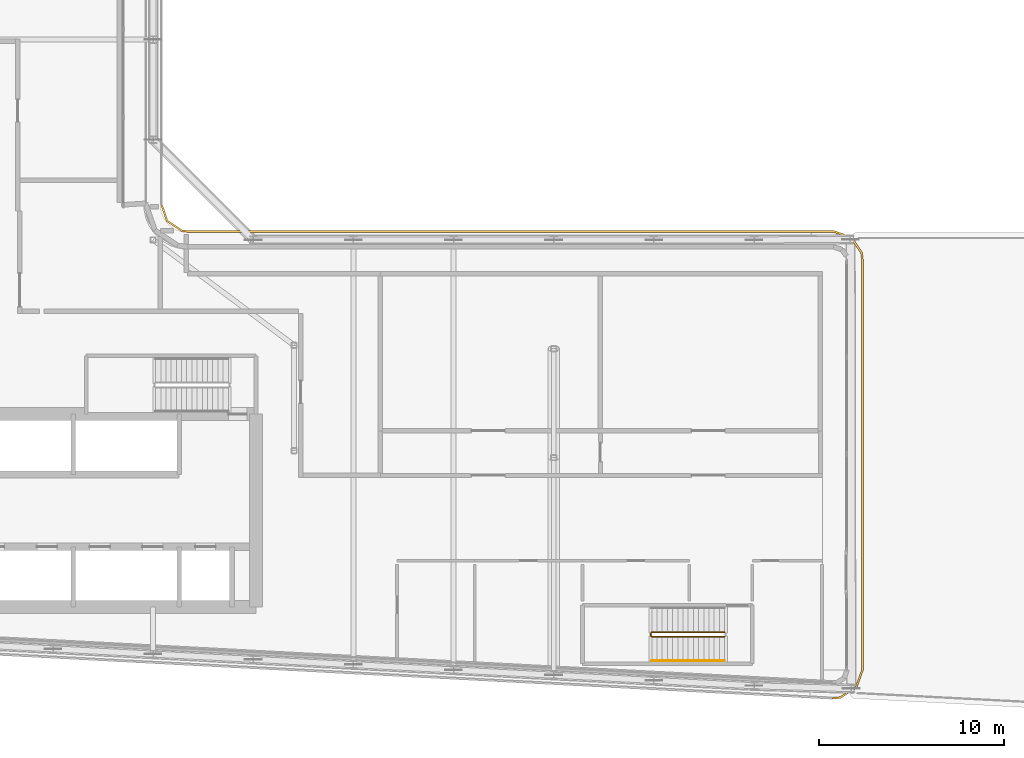
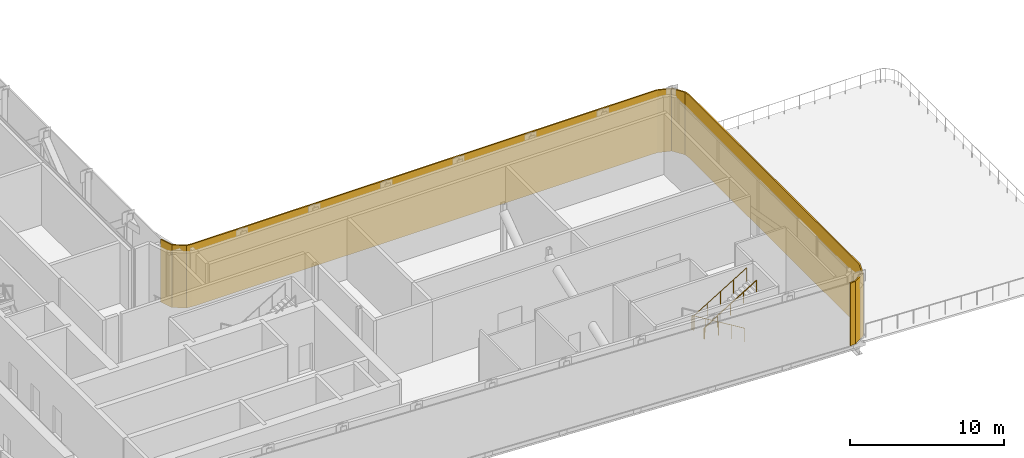
# One storey, part 19 of 23: 2 railings, 1 shading device.
"""IFC4 building model written with IfcOpenShell, lengths in metres."""

from ifc_helpers import new_model, si_unit, direction, frame, origin, origin_2d, place, context, subcontext, project, spatial, polyline, circle, outline, extrude, material, layer, layer_set, type_object, element, save


model = new_model("IFC4")

# Units and contexts
model_context = context("Model", 3, precision=1e-05, world=origin(), true_north=direction((0.0, 1.0)))
body_context = subcontext(model_context, "Body", "Model", "MODEL_VIEW")
ifc_project = project(units=[si_unit("LENGTHUNIT", "METRE"), si_unit("AREAUNIT", "SQUARE_METRE"), si_unit("VOLUMEUNIT", "CUBIC_METRE"), si_unit("PLANEANGLEUNIT", "RADIAN"), si_unit("MASSUNIT", "GRAM", prefix="KILO")], contexts=[model_context])

# Site, building, storey
site_placement = place(None, origin())
site = spatial("IfcSite", under=ifc_project, at=site_placement, CompositionType="ELEMENT")
building_placement = place(site_placement, origin())
building = spatial("IfcBuilding", under=site, at=building_placement, Name="Kheshtan School and Residences Tower", CompositionType="ELEMENT")
storey_placement = place(building_placement, frame((0.0, 0.0, 211.10009765625)))
storey = spatial("IfcBuildingStorey", under=building, at=storey_placement, Name="L49", CompositionType="ELEMENT", Elevation=211.10009765625)

# Shading device
ifc_material_1 = material(Name="Terracotta louvre blades", Category="masonry")
ifc_layer = layer(ifc_material_1, 0.10009765625)
ifc_layer_set = layer_set([ifc_layer], Name="Plant louvre screen")
shading_device_type = type_object("IfcShadingDeviceType", Name="Plant louvre screen", PredefinedType="JALOUSIE", material=ifc_layer_set)
shading_device_placement = place(storey_placement, origin())
element("IfcShadingDevice", 1, at=shading_device_placement, inside=storey, type_object=shading_device_type, Name="Screen L49 4", PredefinedType="JALOUSIE", context=body_context, shape_type="SweptSolid", body=[
    extrude(outline(polyline([(48.0, 47.5), (48.31005859375, 46.5869140625), (49.112060546875, 46.051025390625), (49.5, 46.0), (84.300048828125, 46.0), (85.212890625, 45.68994140625), (85.7490234375, 44.887939453125), (85.800048828125, 44.5), (85.800048828125, 22.43408203125), (85.469970703125, 21.4951171875), (84.6240234375, 20.968994140625), (84.220947265625, 20.93603515625), (84.22900390625, 20.8359375), (84.656005859375, 20.87109375), (85.552978515625, 21.428955078125), (85.89990234375, 22.4169921875), (85.89990234375, 44.507080078125), (85.844970703125, 44.924072265625), (85.277099609375, 45.77392578125), (84.31689453125, 46.10009765625), (49.507080078125, 46.10009765625), (49.14794921875, 46.14697265625), (48.39404296875, 46.65087890625), (48.094970703125, 47.531982421875), (48.0, 47.5)])), origin(), (0.0, 0.0, 1.0), 4.949951171875),
])

# Railings
ifc_material_2 = material(Name="Stainless steel balustrade", Category="steel")
railing_type_1 = type_object("IfcRailingType", Name="Stair guard 1100", PredefinedType="GUARDRAIL", material=ifc_material_2)
railing_1_placement = place(storey_placement, frame((78.409912109375, 24.449951171875, 0.169921875)))
element("IfcRailing", 2, at=railing_1_placement, inside=storey, type_object=railing_type_1, Name="L49 ST5 stair guard 1", PredefinedType="GUARDRAIL", context=body_context, shape_type="SweptSolid", body=[
    extrude(circle(Radius=0.02392578125, at=origin_2d()), frame((0.0, 0.0, 1.076171875), z_axis=(-0.854794262968, 0.0, 0.518967020143), x_axis=(0.0, -1.0, 0.0)), (0.0, 0.0, 1.0), 4.585693359375),
    extrude(circle(Radius=0.02392578125, at=origin_2d()), frame((-3.919921875, 0.0, 3.4560546875), z_axis=(-0.707106781187, -0.707106781187, 0.0), x_axis=(0.707106781187, -0.707106781187, 0.0)), (0.0, 0.0, 1.0), 0.07080078125),
    extrude(circle(Radius=0.02392578125, at=origin_2d()), frame((-3.969970703125, -0.050048828125, 3.4560546875), z_axis=(0.0, -1.0, 0.0), x_axis=(1.0, 0.0, 0.0)), (0.0, 0.0, 1.0), 0.14990234375),
    extrude(circle(Radius=0.02392578125, at=origin_2d()), frame((-3.969970703125, -0.199951171875, 3.4560546875), z_axis=(0.271562723297, -0.271562723297, 0.923313259209), x_axis=(0.707106781187, 0.707106781187, 0.0)), (0.0, 0.0, 1.0), 0.184326171875),
    extrude(circle(Radius=0.02392578125, at=origin_2d()), frame((-3.919921875, -0.25, 3.6259765625), z_axis=(0.854794262968, 0.0, 0.518967020143), x_axis=(0.0, 1.0, 0.0)), (0.0, 0.0, 1.0), 4.585693359375),
    extrude(circle(Radius=0.02099609375, at=origin_2d()), origin(), (0.0, 0.0, 1.0), 1.052001953125),
    extrude(circle(Radius=0.02099609375, at=origin_2d()), frame((-0.97998046875, 0.0, 0.594970703125)), (0.0, 0.0, 1.0), 1.052001953125),
    extrude(circle(Radius=0.02099609375, at=origin_2d()), frame((-1.9599609375, 0.0, 1.18994140625)), (0.0, 0.0, 1.0), 1.052001953125),
    extrude(circle(Radius=0.02099609375, at=origin_2d()), frame((-2.93994140625, 0.0, 1.784912109375)), (0.0, 0.0, 1.0), 1.052001953125),
    extrude(circle(Radius=0.02099609375, at=origin_2d()), frame((-3.919921875, 0.0, 2.3798828125)), (0.0, 0.0, 1.0), 1.052001953125),
    extrude(circle(Radius=0.02099609375, at=origin_2d()), frame((-3.969970703125, -0.050048828125, 2.3798828125)), (0.0, 0.0, 1.0), 1.052001953125),
    extrude(circle(Radius=0.02099609375, at=origin_2d()), frame((-3.969970703125, -0.199951171875, 2.3798828125)), (0.0, 0.0, 1.0), 1.052001953125),
    extrude(circle(Radius=0.02099609375, at=origin_2d()), frame((-3.919921875, -0.25, 2.550048828125)), (0.0, 0.0, 1.0), 1.052001953125),
    extrude(circle(Radius=0.02099609375, at=origin_2d()), frame((-2.93994140625, -0.25, 3.14501953125)), (0.0, 0.0, 1.0), 1.052001953125),
    extrude(circle(Radius=0.02099609375, at=origin_2d()), frame((-1.9599609375, -0.25, 3.739990234375)), (0.0, 0.0, 1.0), 1.052001953125),
    extrude(circle(Radius=0.02099609375, at=origin_2d()), frame((-0.97998046875, -0.25, 4.3349609375)), (0.0, 0.0, 1.0), 1.052001953125),
    extrude(circle(Radius=0.02099609375, at=origin_2d()), frame((0.0, -0.25, 4.929931640625)), (0.0, 0.0, 1.0), 1.052001953125),
])
ifc_material_3 = material(Name="Stainless steel handrail", Category="steel")
railing_type_2 = type_object("IfcRailingType", Name="Stair handrail 900", PredefinedType="HANDRAIL", material=ifc_material_3)
railing_2_placement = place(storey_placement, frame((74.489990234375, 22.89990234375, 2.719970703125)))
element("IfcRailing", 3, at=railing_2_placement, inside=storey, type_object=railing_type_2, Name="L49 ST5 stair handrail 2", PredefinedType="HANDRAIL", context=body_context, shape_type="SweptSolid", body=[
    extrude(circle(Radius=0.02392578125, at=origin_2d()), frame((0.0, 0.0, 0.8759765625), z_axis=(0.854794262968, 0.0, 0.518967020143), x_axis=(0.0, 1.0, 0.0)), (0.0, 0.0, 1.0), 4.585693359375),
    extrude(circle(Radius=0.02099609375, at=origin_2d()), origin(), (0.0, 0.0, 1.0), 0.851806640625),
    extrude(circle(Radius=0.02099609375, at=origin_2d()), frame((0.97998046875, 0.0, 0.594970703125)), (0.0, 0.0, 1.0), 0.851806640625),
    extrude(circle(Radius=0.02099609375, at=origin_2d()), frame((1.9599609375, 0.0, 1.18994140625)), (0.0, 0.0, 1.0), 0.851806640625),
    extrude(circle(Radius=0.02099609375, at=origin_2d()), frame((2.93994140625, 0.0, 1.784912109375)), (0.0, 0.0, 1.0), 0.851806640625),
    extrude(circle(Radius=0.02099609375, at=origin_2d()), frame((3.919921875, 0.0, 2.3798828125)), (0.0, 0.0, 1.0), 0.851806640625),
])

save(model, "model.ifc")
